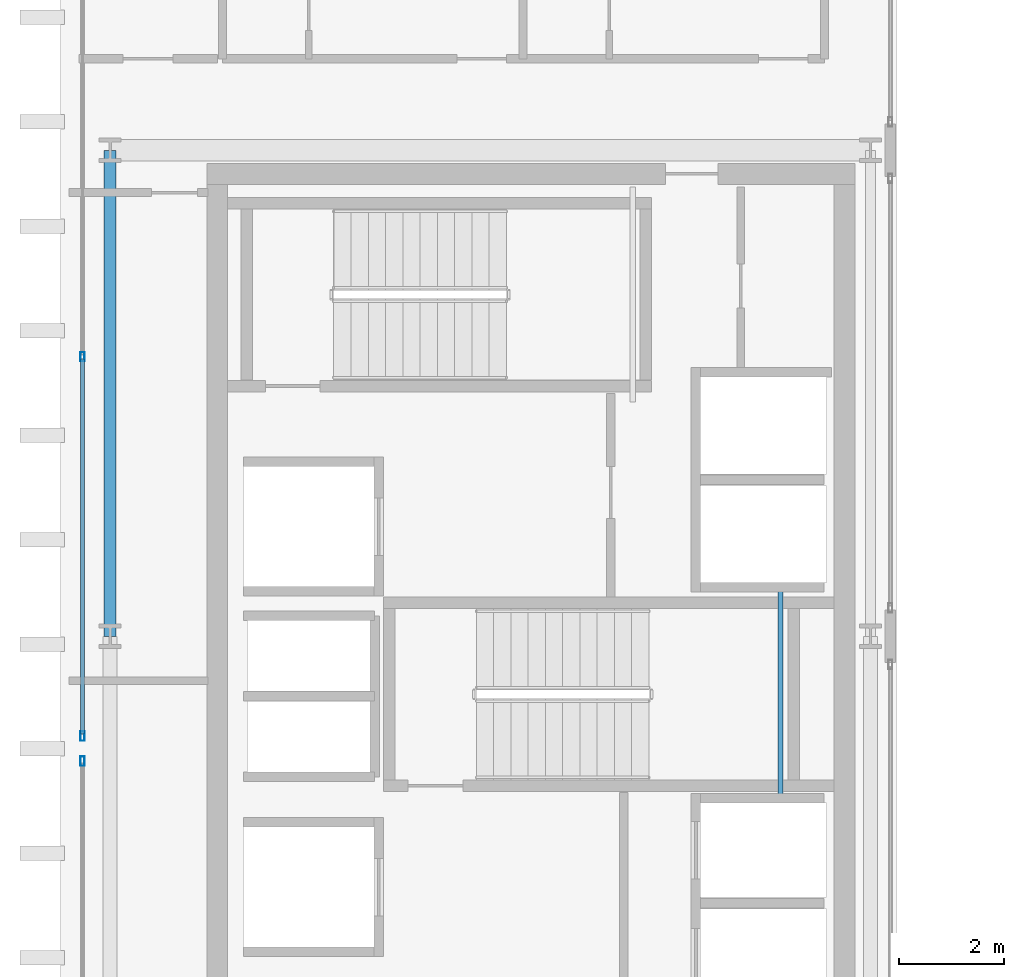
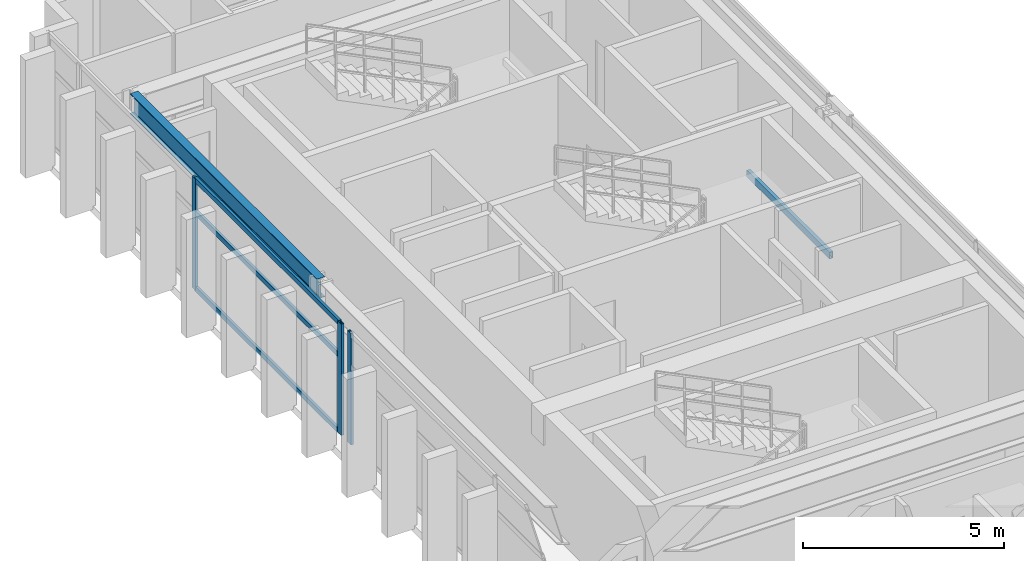
# One storey, part 5 of 25: 6 members, 2 beams, 2 elements without a shape of their own.
"""IFC4 building model written with IfcOpenShell, lengths in metres."""

import ifcopenshell
import ifcopenshell.guid

model = None  # the IFC model being written
_history = None  # IfcOwnerHistory: only IFC2X3 demands one
_inside = {}  # id of a spatial element -> (the spatial element, [elements in it])
_under = {}  # id of a project, library or spatial element -> (it, [spatial elements below it])
_declared = {}  # id of a project -> (the project, [libraries it declares])
_typed = {}  # id of a type object -> (the type object, [elements of that type])
_made_of = {}  # id of a material, layer set ... -> (it, [elements and type objects made of it])


def new_model(schema):
    """Start an empty IFC model of exactly this schema.

    Asked for "IFC4X3", IfcOpenShell would pick the latest addendum, in which some entities
    have other attributes; the version numbers below select the first issue.
    IFC2X3 requires an IfcOwnerHistory on every rooted entity: one is made here for all.
    """
    global model, _history
    if schema == "IFC4X3":
        model = ifcopenshell.file(schema_version=(4, 3, 0, 0))
    else:
        model = ifcopenshell.file(schema=schema)
    _inside.clear()
    _under.clear()
    _declared.clear()
    _typed.clear()
    _made_of.clear()
    _history = None
    if model.schema == "IFC2X3":
        org = make("IfcOrganization", Name="unknown")
        user = make(
            "IfcPersonAndOrganization",
            ThePerson=make("IfcPerson", FamilyName="unknown"),
            TheOrganization=org,
        )
        app = make(
            "IfcApplication",
            ApplicationDeveloper=org,
            Version="unknown",
            ApplicationFullName="unknown",
            ApplicationIdentifier="unknown",
        )
        _history = make(
            "IfcOwnerHistory",
            OwningUser=user,
            OwningApplication=app,
            ChangeAction="ADDED",
            CreationDate=0,
        )
    return model


def make(cls, **values):
    """One entity of the class cls with the attributes given. An attribute that is None is left unset."""
    return model.create_entity(
        cls, **{name: value for name, value in values.items() if value is not None}
    )


def rooted(cls, **values):
    """An entity with a GlobalId (a new one), such as an element, a storey or a relation."""
    return make(cls, GlobalId=ifcopenshell.guid.new(), OwnerHistory=_history, **values)


def si_unit(unit_type, name, prefix=None):
    """IfcSIUnit, for example si_unit("LENGTHUNIT", "METRE", prefix="MILLI")."""
    return make("IfcSIUnit", UnitType=unit_type, Prefix=prefix, Name=name)


def assignment(units):
    """IfcUnitAssignment: the units of a project."""
    return None if units is None else make("IfcUnitAssignment", Units=units)


def point(xyz):
    """IfcCartesianPoint."""
    return None if xyz is None else make("IfcCartesianPoint", Coordinates=xyz)


def direction(xyz):
    """IfcDirection."""
    return None if xyz is None else make("IfcDirection", DirectionRatios=xyz)


def frame(location, z_axis=None, x_axis=None):
    """IfcAxis2Placement3D, a coordinate frame: its origin and axes. An axis left out is left unset."""
    return make(
        "IfcAxis2Placement3D",
        Location=point(location),
        Axis=direction(z_axis),
        RefDirection=direction(x_axis),
    )


def frame_2d(location, x_axis=None):
    """IfcAxis2Placement2D, a coordinate frame in the plane: its origin and x axis."""
    return make(
        "IfcAxis2Placement2D", Location=point(location), RefDirection=direction(x_axis)
    )


def origin():
    """The frame at (0, 0, 0) with its axes left unset."""
    return frame((0.0, 0.0, 0.0))


def origin_2d():
    """The frame at (0, 0) in the plane with its x axis left unset."""
    return frame_2d((0.0, 0.0))


def place(relative_to, where):
    """IfcLocalPlacement: puts the frame where relative to a parent placement (None: the world)."""
    return make(
        "IfcLocalPlacement", PlacementRelTo=relative_to, RelativePlacement=where
    )


def context(
    kind, dimensions, precision=None, world=None, true_north=None, identifier=None
):
    """IfcGeometricRepresentationContext, for example the 3D "Model" context."""
    return make(
        "IfcGeometricRepresentationContext",
        ContextIdentifier=identifier,
        ContextType=kind,
        CoordinateSpaceDimension=dimensions,
        Precision=precision,
        WorldCoordinateSystem=world,
        TrueNorth=true_north,
    )


def subcontext(parent, identifier, kind, view, scale=None):
    """IfcGeometricRepresentationSubContext, for example "Body" below "Model"."""
    return make(
        "IfcGeometricRepresentationSubContext",
        ContextIdentifier=identifier,
        ContextType=kind,
        ParentContext=parent,
        TargetScale=scale,
        TargetView=view,
    )


def project(units=None, contexts=None):
    """IfcProject with its units and contexts."""
    return rooted(
        "IfcProject",
        Name="project",
        RepresentationContexts=contexts,
        UnitsInContext=assignment(units),
    )


def spatial(cls, under=None, at=None, **own):
    """A site, building, storey or space (cls), placed at a placement, below another one or the project."""
    s = rooted(cls, ObjectPlacement=at, **own)
    if under is not None:
        _under.setdefault(under.id(), (under, []))[1].append(s)
    return s


def profile(cls, at=None, kind="AREA", **sizes):
    """A parametric profile (cls). Its sizes go by their IFC names, for example OverallWidth=200.0."""
    return make(cls, ProfileType=kind, Position=at, **sizes)


def hollow_rectangle(**sizes):
    """IfcRectangleHollowProfileDef."""
    return profile("IfcRectangleHollowProfileDef", **sizes)


def i_section(**sizes):
    """IfcIShapeProfileDef."""
    return profile("IfcIShapeProfileDef", **sizes)


def extrude(swept, where, along, depth):
    """IfcExtrudedAreaSolid: the profile swept, set in the frame where, extruded along a direction by depth."""
    return make(
        "IfcExtrudedAreaSolid",
        SweptArea=swept,
        Position=where,
        ExtrudedDirection=direction(along),
        Depth=depth,
    )


def shape(context_of_items, identifier, shape_type, items):
    """IfcShapeRepresentation: the items that make up one representation, for example the "Body"."""
    return make(
        "IfcShapeRepresentation",
        ContextOfItems=context_of_items,
        RepresentationIdentifier=identifier,
        RepresentationType=shape_type,
        Items=items,
    )


def source(mapping_origin, context_of_items, identifier, shape_type, items):
    """IfcRepresentationMap: a shape defined once, which mapped items show again and again."""
    return make(
        "IfcRepresentationMap",
        MappingOrigin=mapping_origin,
        MappedRepresentation=shape(context_of_items, identifier, shape_type, items),
    )


def transform(
    local_origin,
    x_axis=None,
    y_axis=None,
    z_axis=None,
    scale=None,
    scale2=None,
    scale3=None,
    uniform=True,
):
    """IfcCartesianTransformationOperator3D, or its non-uniform kind. x_axis, y_axis, z_axis: its Axis1, 2, 3."""
    if uniform:
        return make(
            "IfcCartesianTransformationOperator3D",
            Axis1=direction(x_axis),
            Axis2=direction(y_axis),
            LocalOrigin=point(local_origin),
            Scale=scale,
            Axis3=direction(z_axis),
        )
    return make(
        "IfcCartesianTransformationOperator3DnonUniform",
        Axis1=direction(x_axis),
        Axis2=direction(y_axis),
        LocalOrigin=point(local_origin),
        Scale=scale,
        Axis3=direction(z_axis),
        Scale2=scale2,
        Scale3=scale3,
    )


def mapped(mapping_source, mapping_target):
    """IfcMappedItem: shows the shape of a source again, moved by a transform."""
    return make(
        "IfcMappedItem", MappingSource=mapping_source, MappingTarget=mapping_target
    )


def material(Name=None, Category=None):
    """IfcMaterial."""
    return make("IfcMaterial", Name=Name, Category=Category)


def layer(
    of_material, thickness, ventilated=None, Name=None, Category=None, Priority=None
):
    """IfcMaterialLayer: one layer of a wall or slab, of a material (None: an air gap)."""
    return make(
        "IfcMaterialLayer",
        Material=of_material,
        LayerThickness=thickness,
        IsVentilated=ventilated,
        Name=Name,
        Category=Category,
        Priority=Priority,
    )


def layer_set(layers, Name=None):
    """IfcMaterialLayerSet."""
    return make("IfcMaterialLayerSet", MaterialLayers=layers, LayerSetName=Name)


def material_profile(
    of_material, cross_section, Name=None, Category=None, Priority=None
):
    """IfcMaterialProfile: a cross section and its material."""
    return make(
        "IfcMaterialProfile",
        Name=Name,
        Material=of_material,
        Profile=cross_section,
        Priority=Priority,
        Category=Category,
    )


def profile_set(profiles, Name=None, composite=None):
    """IfcMaterialProfileSet."""
    return make(
        "IfcMaterialProfileSet",
        Name=Name,
        MaterialProfiles=profiles,
        CompositeProfile=composite,
    )


def made_of(thing, what):
    """Note that an element or type object is made of a material, layer set ...; save() writes the relation."""
    if what is not None:
        _made_of.setdefault(what.id(), (what, []))[1].append(thing)
    return thing


def type_object(cls, material=None, **own):
    """A type object (cls), such as IfcWallType, which elements share."""
    return made_of(rooted(cls, **own), material)


def element(
    cls,
    number,
    at=None,
    inside=None,
    cuts=None,
    type_object=None,
    material=None,
    context=None,
    identifier="Body",
    shape_type=None,
    held_by="IfcProductDefinitionShape",
    body=None,
    shapes=None,
    **own,
):
    """One element of the class cls, such as IfcWall. Its Tag is "e" and its number.

    at: its placement. inside: the storey or other place that contains it. cuts: it is an
    opening in that element (IfcRelVoidsElement). A single representation is given by context,
    identifier, shape_type and body (its items); several are given by shapes. held_by: the class
    of the entity that holds the representations. save() writes the other relations.
    """
    e = rooted(cls, Tag="e%d" % number, ObjectPlacement=at, **own)
    if body is not None:
        shapes = [shape(context, identifier, shape_type, body)]
    if shapes is not None:
        e.Representation = make(held_by, Representations=shapes)
    if inside is not None:
        _inside.setdefault(inside.id(), (inside, []))[1].append(e)
    if cuts is not None:
        rooted(
            "IfcRelVoidsElement", RelatingBuildingElement=cuts, RelatedOpeningElement=e
        )
    if type_object is not None:
        _typed.setdefault(type_object.id(), (type_object, []))[1].append(e)
    return made_of(e, material)


def aggregate(whole, parts):
    """IfcRelAggregates: a whole, such as a stair, and the parts it consists of."""
    return rooted("IfcRelAggregates", RelatingObject=whole, RelatedObjects=parts)


def save(model, path):
    """Write the relations noted so far, then the file.

    IfcRelAggregates (storeys below a building ...), IfcRelContainedInSpatialStructure (elements
    in a storey), IfcRelDefinesByType, IfcRelAssociatesMaterial and IfcRelDeclares: one each for
    every whole, place, type object, material and project.
    """
    for whole, parts in _under.values():
        aggregate(whole, parts)
    for where, things in _inside.values():
        rooted(
            "IfcRelContainedInSpatialStructure",
            RelatedElements=things,
            RelatingStructure=where,
        )
    for kind, things in _typed.values():
        rooted("IfcRelDefinesByType", RelatedObjects=things, RelatingType=kind)
    for what, things in _made_of.values():
        rooted("IfcRelAssociatesMaterial", RelatedObjects=things, RelatingMaterial=what)
    for by, libraries in _declared.values():
        rooted("IfcRelDeclares", RelatingContext=by, RelatedDefinitions=libraries)
    model.write(path)


model = new_model("IFC4")

# Units and contexts
model_context = context("Model", 3, precision=1e-05, world=origin(), true_north=direction((0.0, 1.0)))
body_context = subcontext(model_context, "Body", "Model", "MODEL_VIEW")
ifc_project = project(units=[si_unit("LENGTHUNIT", "METRE"), si_unit("AREAUNIT", "SQUARE_METRE"), si_unit("VOLUMEUNIT", "CUBIC_METRE"), si_unit("PLANEANGLEUNIT", "RADIAN"), si_unit("MASSUNIT", "GRAM", prefix="KILO")], contexts=[model_context])

# Site, building, storey
site_placement = place(None, origin())
site = spatial("IfcSite", under=ifc_project, at=site_placement, CompositionType="ELEMENT")
building_placement = place(site_placement, origin())
building = spatial("IfcBuilding", under=site, at=building_placement, Name="Ocotamira Hotel", CompositionType="ELEMENT")
storey_placement = place(building_placement, frame((0.0, 0.0, 254.39990234375)))
storey = spatial("IfcBuildingStorey", under=building, at=storey_placement, Name="L64", CompositionType="ELEMENT", Elevation=254.39990234375)

# Beams
ifc_material_1 = material(Name="Steel ASTM A500 Grade C", Category="steel")
ifc_material_profile_1 = material_profile(ifc_material_1, hollow_rectangle(XDim=0.10009765625, YDim=0.199951171875, WallThickness=0.008056640625, at=origin_2d()), Name="HSS200X100X8")
ifc_profile_set_1 = profile_set([ifc_material_profile_1], Name="Steel ASTM A500 Grade C")
beam_type_1 = type_object("IfcBeamType", Name="BM-STLDG-HSS200", PredefinedType="BEAM", material=ifc_profile_set_1)
shared_shape_1 = source(origin(), body_context, "Body", "SweptSolid", [
    extrude(hollow_rectangle(XDim=0.10009765625, YDim=0.199951171875, WallThickness=0.008056640625, at=origin_2d()), origin(), (0.0, 0.0, 1.0), 4.1201171875),
])
beam_1_placement = place(storey_placement, frame((21.780029296875, 24.97998046875, 1.5), z_axis=(0.0, 1.0, 0.0), x_axis=(-1.0, 0.0, 0.0)))
element("IfcBeam", 1, at=beam_1_placement, inside=storey, type_object=beam_type_1, Name="L64 Stair ST-3 Landing Bearer 1", PredefinedType="BEAM", context=body_context, shape_type="MappedRepresentation", body=[
    mapped(shared_shape_1, transform((0.0, 0.0, 0.0), scale=1.0)),
])
ifc_material_2 = material(Name="Steel ASTM A992 Grade 50", Category="steel")
ifc_material_profile_2 = material_profile(ifc_material_2, i_section(OverallWidth=0.22998046875, OverallDepth=0.616943359375, WebThickness=0.01318359375, FlangeThickness=0.022216796875, FilletRadius=0.012939453125, at=origin_2d()), Name="W24X94")
ifc_profile_set_2 = profile_set([ifc_material_profile_2], Name="Steel ASTM A992 Grade 50")
beam_type_2 = type_object("IfcBeamType", Name="BM-PRIM-W24X94", PredefinedType="BEAM", material=ifc_profile_set_2)
shared_shape_2 = source(origin(), body_context, "Body", "SweptSolid", [
    extrude(i_section(OverallWidth=0.22998046875, OverallDepth=0.616943359375, WebThickness=0.01318359375, FlangeThickness=0.022216796875, FilletRadius=0.012939453125, at=origin_2d()), origin(), (0.0, 0.0, 1.0), 9.300048828125),
])
beam_2_placement = place(storey_placement, frame((8.949951171875, 28.14990234375, 3.071533203125), z_axis=(0.0, 1.0, 0.0), x_axis=(-1.0, 0.0, 0.0)))
element("IfcBeam", 2, at=beam_2_placement, inside=storey, type_object=beam_type_2, Name="L64 Beam X8.95 Y28.15-37.45", PredefinedType="BEAM", context=body_context, shape_type="MappedRepresentation", body=[
    mapped(shared_shape_2, transform((0.0, 0.0, 0.0), scale=1.0)),
])

# Curtain wall, member
ifc_material_3 = material(Name="Anodised pale-metal aluminium and solar glass", Category="aluminium")
ifc_layer = layer(ifc_material_3, 0.2099609375)
ifc_layer_set = layer_set([ifc_layer], Name="Anodised pale-metal aluminium and solar glass")
curtain_wall_type = type_object("IfcCurtainWallType", Name="CW-SYS7-PEAK", PredefinedType="NOTDEFINED", material=ifc_layer_set)
curtain_wall_1_placement = place(storey_placement, origin())
curtain_wall_1 = element("IfcCurtainWall", 3, at=curtain_wall_1_placement, inside=storey, type_object=curtain_wall_type, Name="L64 Curtain Wall CW-7 CW-L64-WO1", PredefinedType="NOTDEFINED")
ifc_material_4 = material(Name="Anodised pale-metal aluminium 6063-T6", Category="aluminium")
ifc_material_profile_3 = material_profile(ifc_material_4, hollow_rectangle(XDim=0.080078125, YDim=0.179931640625, WallThickness=0.006103515625, at=origin_2d()), Name="HSS180X80X6")
ifc_profile_set_3 = profile_set([ifc_material_profile_3], Name="Anodised pale-metal aluminium 6063-T6")
member_type_1 = type_object("IfcMemberType", Name="CWM-180X75", PredefinedType="MULLION", material=ifc_profile_set_3)
shared_shape_3 = source(origin(), body_context, "Body", "SweptSolid", [
    extrude(hollow_rectangle(XDim=0.080078125, YDim=0.179931640625, WallThickness=0.006103515625, at=origin_2d()), origin(), (0.0, 0.0, 1.0), 3.380126953125),
])
member_1_placement = place(storey_placement, frame((8.419921875, 25.760009765625, 0.0), z_axis=(0.0, 0.0, 1.0), x_axis=(-1.0, 0.0, 0.0)))
member_1 = element("IfcMember", 4, at=member_1_placement, type_object=member_type_1, Name="CW-7 mullion 3", PredefinedType="MULLION", context=body_context, shape_type="MappedRepresentation", body=[
    mapped(shared_shape_3, transform((0.0, 0.0, 0.0), scale=1.0)),
])
aggregate(curtain_wall_1, [member_1])

# Curtain wall, members
curtain_wall_2_placement = place(storey_placement, origin())
curtain_wall_2 = element("IfcCurtainWall", 5, at=curtain_wall_2_placement, inside=storey, type_object=curtain_wall_type, Name="L64 Curtain Wall CW-7 CW-L64-WO2", PredefinedType="NOTDEFINED")
member_2_placement = place(storey_placement, frame((8.419921875, 26.239990234375, 0.0), z_axis=(0.0, 0.0, 1.0), x_axis=(-1.0, 0.0, 0.0)))
member_2 = element("IfcMember", 6, at=member_2_placement, type_object=member_type_1, Name="CW-7 mullion 1", PredefinedType="MULLION", context=body_context, shape_type="MappedRepresentation", body=[
    mapped(shared_shape_3, transform((0.0, 0.0, 0.0), scale=1.0)),
])
member_3_placement = place(storey_placement, frame((8.419921875, 33.5, 0.0), z_axis=(0.0, 0.0, 1.0), x_axis=(-1.0, 0.0, 0.0)))
member_3 = element("IfcMember", 7, at=member_3_placement, type_object=member_type_1, Name="CW-7 mullion 2", PredefinedType="MULLION", context=body_context, shape_type="MappedRepresentation", body=[
    mapped(shared_shape_3, transform((0.0, 0.0, 0.0), scale=1.0)),
])
ifc_material_profile_4 = material_profile(ifc_material_4, hollow_rectangle(XDim=0.074951171875, YDim=0.14990234375, WallThickness=0.006103515625, at=origin_2d()), Name="HSS150X75X6")
ifc_profile_set_4 = profile_set([ifc_material_profile_4], Name="Anodised pale-metal aluminium 6063-T6")
member_type_2 = type_object("IfcMemberType", Name="CWT-150X75", PredefinedType="USERDEFINED", material=ifc_profile_set_4)
shared_shape_4 = source(origin(), body_context, "Body", "SweptSolid", [
    extrude(hollow_rectangle(XDim=0.074951171875, YDim=0.14990234375, WallThickness=0.006103515625, at=origin_2d()), origin(), (0.0, 0.0, 1.0), 7.179931640625),
])
member_4_placement = place(storey_placement, frame((8.419921875, 26.280029296875, 0.03759765625), z_axis=(0.0, 1.0, 0.0), x_axis=(-1.0, 0.0, 0.0)))
member_4 = element("IfcMember", 8, at=member_4_placement, type_object=member_type_2, Name="CW-7 transom 1.1", ObjectType="TRANSOM", PredefinedType="USERDEFINED", context=body_context, shape_type="MappedRepresentation", body=[
    mapped(shared_shape_4, transform((0.0, 0.0, 0.0), scale=1.0)),
])
member_5_placement = place(storey_placement, frame((8.419921875, 26.280029296875, 2.35009765625), z_axis=(0.0, 1.0, 0.0), x_axis=(-1.0, 0.0, 0.0)))
member_5 = element("IfcMember", 9, at=member_5_placement, type_object=member_type_2, Name="CW-7 transom 1.2", ObjectType="TRANSOM", PredefinedType="USERDEFINED", context=body_context, shape_type="MappedRepresentation", body=[
    mapped(shared_shape_4, transform((0.0, 0.0, 0.0), scale=1.0)),
])
member_6_placement = place(storey_placement, frame((8.419921875, 26.280029296875, 3.342529296875), z_axis=(0.0, 1.0, 0.0), x_axis=(-1.0, 0.0, 0.0)))
member_6 = element("IfcMember", 10, at=member_6_placement, type_object=member_type_2, Name="CW-7 transom 1.3", ObjectType="TRANSOM", PredefinedType="USERDEFINED", context=body_context, shape_type="MappedRepresentation", body=[
    mapped(shared_shape_4, transform((0.0, 0.0, 0.0), scale=1.0)),
])
aggregate(curtain_wall_2, [member_2, member_3, member_4, member_5, member_6])

save(model, "model.ifc")
